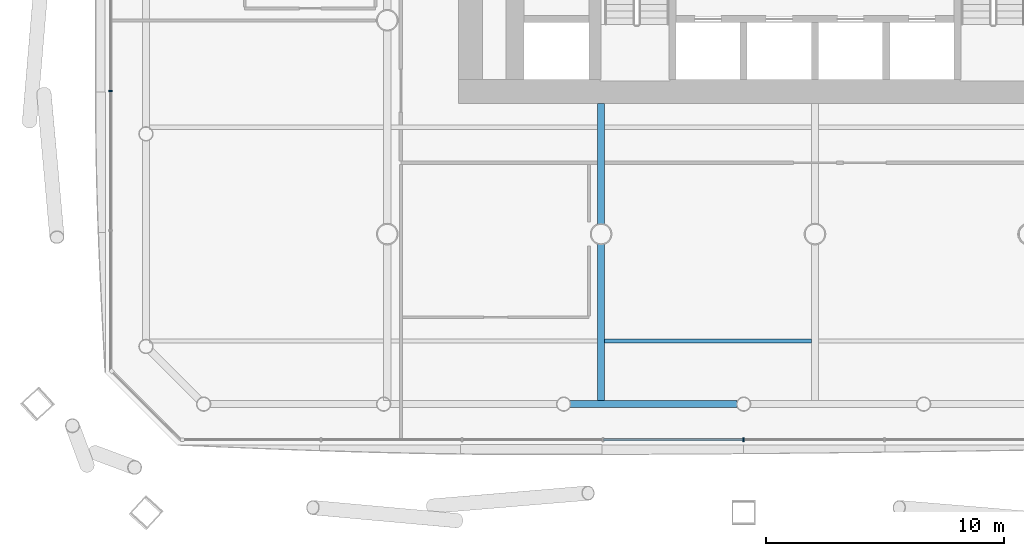
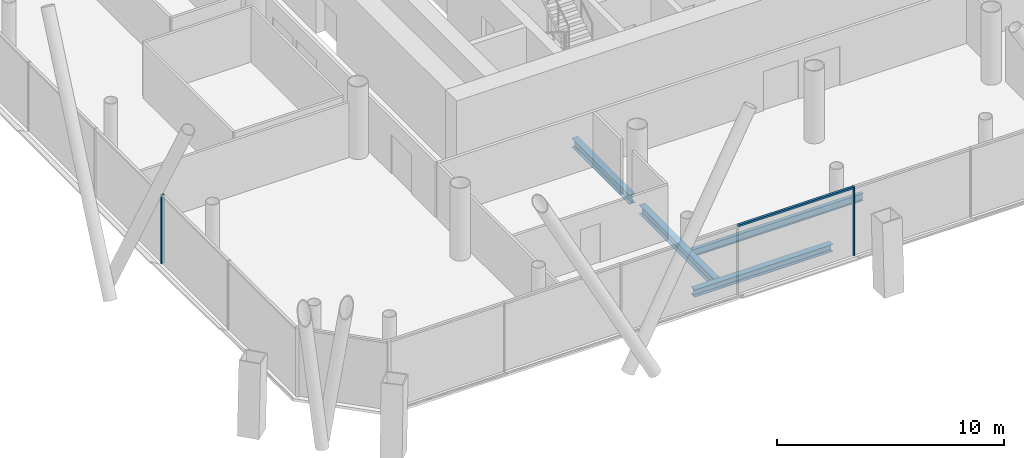
# One storey, part 4 of 25: 4 beams, 3 members, 2 elements without a shape of their own.
"""IFC4 building model written with IfcOpenShell, lengths in metres."""

from ifc_helpers import new_model, si_unit, direction, frame, origin, origin_2d, place, context, subcontext, project, spatial, rectangle, i_section, extrude, material, material_profile, profile_set, type_object, element, aggregate, save


model = new_model("IFC4")

# Units and contexts
model_context = context("Model", 3, precision=1e-05, world=origin(), true_north=direction((0.0, 1.0)))
body_context = subcontext(model_context, "Body", "Model", "MODEL_VIEW")
ifc_project = project(units=[si_unit("LENGTHUNIT", "METRE"), si_unit("AREAUNIT", "SQUARE_METRE"), si_unit("VOLUMEUNIT", "CUBIC_METRE"), si_unit("PLANEANGLEUNIT", "RADIAN"), si_unit("MASSUNIT", "GRAM", prefix="KILO")], contexts=[model_context])

# Site, building, storey
site_placement = place(None, origin())
site = spatial("IfcSite", under=ifc_project, at=site_placement, CompositionType="ELEMENT")
building_placement = place(site_placement, origin())
building = spatial("IfcBuilding", under=site, at=building_placement, Name="Tskaro Facet Tower", CompositionType="ELEMENT")
storey_placement = place(building_placement, frame((0.0, 0.0, 34.199951171875)))
storey = spatial("IfcBuildingStorey", under=building, at=storey_placement, Name="L07", CompositionType="ELEMENT", Elevation=34.199951171875)

# Curtain wall, member
ifc_material_1 = material(Name="Bronze anodised aluminium 6063-T6", Category="aluminium")
curtain_wall_type = type_object("IfcCurtainWallType", Name="Bronze office curtain wall (FW1)", PredefinedType="NOTDEFINED", material=ifc_material_1)
curtain_wall_1_placement = place(storey_placement, origin())
curtain_wall_1 = element("IfcCurtainWall", 1, at=curtain_wall_1_placement, inside=storey, type_object=curtain_wall_type, Name="FW1 south facet L07", PredefinedType="NOTDEFINED")
ifc_material_profile_1 = material_profile(ifc_material_1, rectangle(XDim=0.06005859375, YDim=0.159912109375, at=origin_2d()), Name="Mullion 60x160")
ifc_profile_set_1 = profile_set([ifc_material_profile_1], Name="Bronze anodised aluminium 6063-T6")
member_type_1 = type_object("IfcMemberType", Name="FW1 bronze mullion 60x160", PredefinedType="MULLION", material=ifc_profile_set_1)
member_1_placement = place(storey_placement, frame((-3.0, -26.654052734375, 0.0), z_axis=(0.0, 0.0, 1.0), x_axis=(1.0, 0.0, 0.0)))
member_1 = element("IfcMember", 2, at=member_1_placement, type_object=member_type_1, Name="FW1 south mullion 4", PredefinedType="MULLION", context=body_context, shape_type="SweptSolid", body=[
    extrude(rectangle(XDim=0.06005859375, YDim=0.159912109375, at=origin_2d()), origin(), (0.0, 0.0, 1.0), 3.699951171875),
])

curtain_wall_2_placement = place(storey_placement, origin())
curtain_wall_2 = element("IfcCurtainWall", 3, at=curtain_wall_2_placement, inside=storey, type_object=curtain_wall_type, Name="FW1 west facet L07", PredefinedType="NOTDEFINED")
member_2_placement = place(storey_placement, frame((-29.654052734375, -11.97607421875, 0.0), z_axis=(0.0, 0.0, 1.0), x_axis=(0.0, -1.0, 0.0)))
member_2 = element("IfcMember", 4, at=member_2_placement, type_object=member_type_1, Name="FW1 west mullion 6", PredefinedType="MULLION", context=body_context, shape_type="SweptSolid", body=[
    extrude(rectangle(XDim=0.06005859375, YDim=0.159912109375, at=origin_2d()), origin(), (0.0, 0.0, 1.0), 3.699951171875),
])
aggregate(curtain_wall_2, [member_2])

# Member
ifc_material_profile_2 = material_profile(ifc_material_1, rectangle(XDim=0.1201171875, YDim=0.10009765625, at=origin_2d()), Name="Transom 120x100")
ifc_profile_set_2 = profile_set([ifc_material_profile_2], Name="Bronze anodised aluminium 6063-T6")
member_type_2 = type_object("IfcMemberType", Name="FW1 bronze transom 120x100", PredefinedType="USERDEFINED", material=ifc_profile_set_2)
member_3_placement = place(storey_placement, frame((-8.898193359375, -26.654052734375, 3.650146484375), z_axis=(1.0, 0.0, 0.0), x_axis=(0.0, 1.0, 0.0)))
member_3 = element("IfcMember", 5, at=member_3_placement, type_object=member_type_2, Name="FW1 south transom 4.1", ObjectType="TRANSOM", PredefinedType="USERDEFINED", context=body_context, shape_type="SweptSolid", body=[
    extrude(rectangle(XDim=0.1201171875, YDim=0.10009765625, at=origin_2d()), origin(), (0.0, 0.0, 1.0), 5.8681640625),
])

aggregate(curtain_wall_1, [member_1, member_3])

# Beams
ifc_material_2 = material(Name="Steel S355J2", Category="steel")
ifc_material_profile_3 = material_profile(ifc_material_2, i_section(OverallWidth=0.300048828125, OverallDepth=0.39990234375, WebThickness=0.013427734375, FlangeThickness=0.02392578125, FilletRadius=0.027099609375, at=origin_2d()), Name="HE 400 B")
ifc_profile_set_3 = profile_set([ifc_material_profile_3], Name="Steel S355J2")
beam_type_1 = type_object("IfcBeamType", Name="HE 400 B ring beam", PredefinedType="BEAM", material=ifc_profile_set_3)
beam_1_placement = place(storey_placement, frame((-10.301025390625, -25.156982421875, -0.33984375), z_axis=(1.0, 0.0, 0.0), x_axis=(0.0, 1.0, 0.0)))
element("IfcBeam", 6, at=beam_1_placement, inside=storey, type_object=beam_type_1, Name="HE 400 B EB3-1", PredefinedType="BEAM", context=body_context, shape_type="SweptSolid", body=[
    extrude(i_section(OverallWidth=0.300048828125, OverallDepth=0.39990234375, WebThickness=0.013427734375, FlangeThickness=0.02392578125, FilletRadius=0.027099609375, at=origin_2d()), origin(), (0.0, 0.0, 1.0), 7.026123046875),
])
ifc_material_profile_4 = material_profile(ifc_material_2, i_section(OverallWidth=0.300048828125, OverallDepth=0.489990234375, WebThickness=0.011962890625, FlangeThickness=0.02294921875, FilletRadius=0.027099609375, at=origin_2d()), Name="HE 500 A")
ifc_profile_set_4 = profile_set([ifc_material_profile_4], Name="Steel S355J2")
beam_type_2 = type_object("IfcBeamType", Name="HE 500 A girder", PredefinedType="BEAM", material=ifc_profile_set_4)
beam_2_placement = place(storey_placement, frame((-9.0, -25.007080078125, -0.385009765625), z_axis=(0.0, 1.0, 0.0), x_axis=(-1.0, 0.0, 0.0)))
element("IfcBeam", 7, at=beam_2_placement, inside=storey, type_object=beam_type_2, Name="HE 500 A GB3-1-1", PredefinedType="BEAM", context=body_context, shape_type="SweptSolid", body=[
    extrude(i_section(OverallWidth=0.300048828125, OverallDepth=0.489990234375, WebThickness=0.011962890625, FlangeThickness=0.02294921875, FilletRadius=0.027099609375, at=origin_2d()), origin(), (0.0, 0.0, 1.0), 6.579833984375),
])
beam_3_placement = place(storey_placement, frame((-9.0, -17.57275390625, -0.385009765625), z_axis=(0.0, 1.0, 0.0), x_axis=(-1.0, 0.0, 0.0)))
element("IfcBeam", 8, at=beam_3_placement, inside=storey, type_object=beam_type_2, Name="HE 500 A GB3-2-1", PredefinedType="BEAM", context=body_context, shape_type="SweptSolid", body=[
    extrude(i_section(OverallWidth=0.300048828125, OverallDepth=0.489990234375, WebThickness=0.011962890625, FlangeThickness=0.02294921875, FilletRadius=0.027099609375, at=origin_2d()), origin(), (0.0, 0.0, 1.0), 5.07275390625),
])
ifc_material_profile_5 = material_profile(ifc_material_2, i_section(OverallWidth=0.179931640625, OverallDepth=0.39990234375, WebThickness=0.008544921875, FlangeThickness=0.013427734375, FilletRadius=0.02099609375, at=origin_2d()), Name="IPE 400")
ifc_profile_set_5 = profile_set([ifc_material_profile_5], Name="Steel S355J2")
beam_type_3 = type_object("IfcBeamType", Name="IPE 400 secondary beam", PredefinedType="BEAM", material=ifc_profile_set_5)
beam_4_placement = place(storey_placement, frame((-8.85009765625, -22.5, -0.33984375), z_axis=(1.0, 0.0, 0.0), x_axis=(0.0, 1.0, 0.0)))
element("IfcBeam", 9, at=beam_4_placement, inside=storey, type_object=beam_type_3, Name="IPE 400 SB1a-3-1", PredefinedType="BEAM", context=body_context, shape_type="SweptSolid", body=[
    extrude(i_section(OverallWidth=0.179931640625, OverallDepth=0.39990234375, WebThickness=0.008544921875, FlangeThickness=0.013427734375, FilletRadius=0.02099609375, at=origin_2d()), origin(), (0.0, 0.0, 1.0), 8.7001953125),
])

save(model, "model.ifc")
